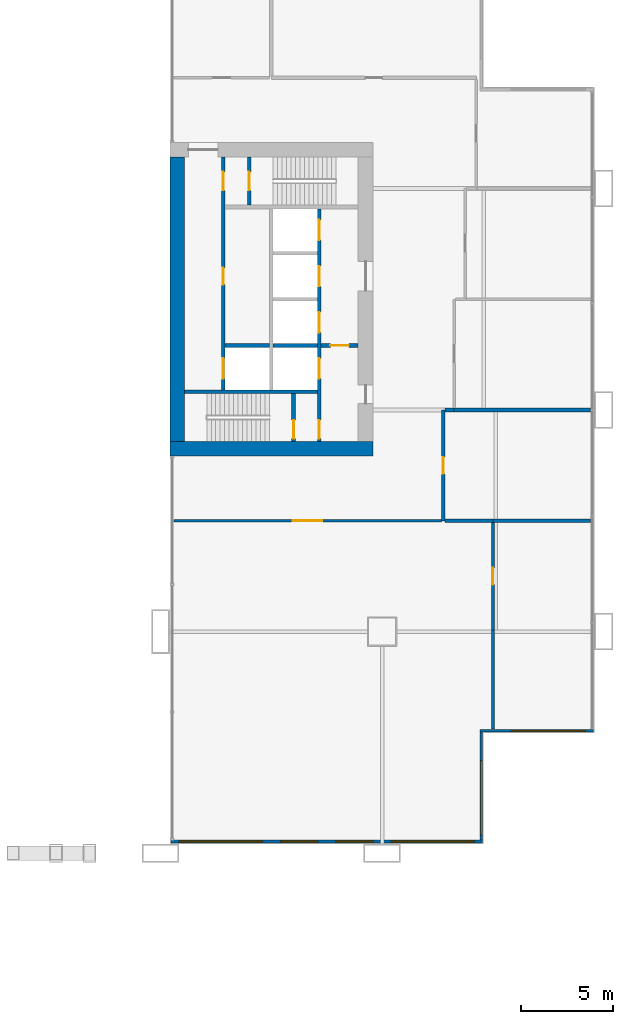
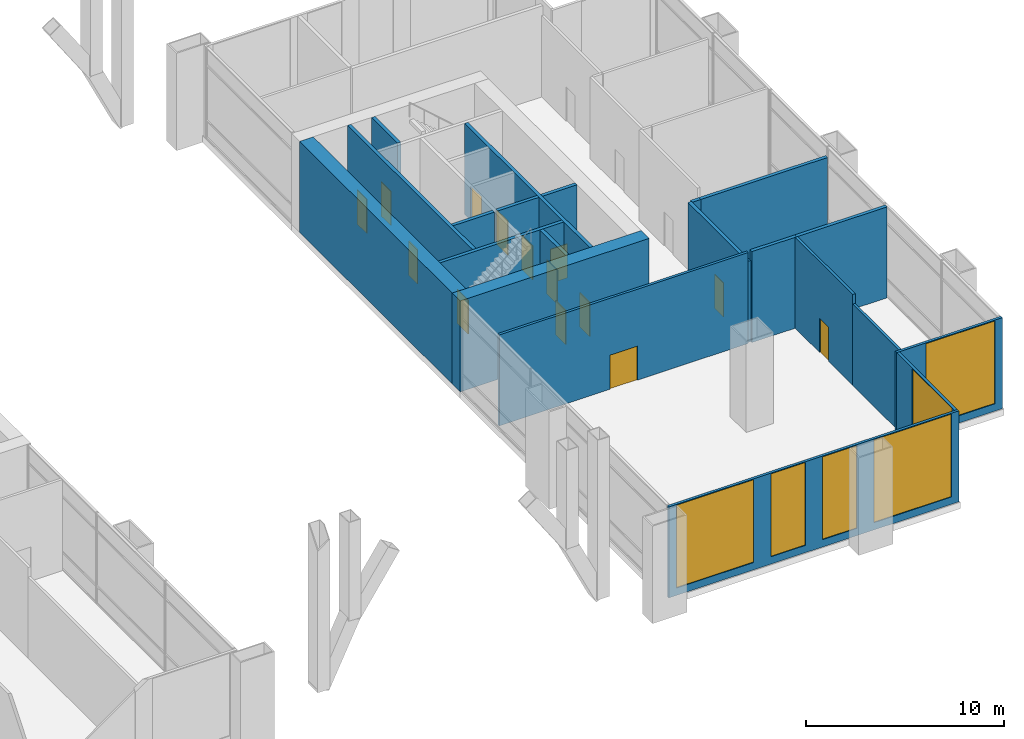
# One storey, part 19 of 25: 21 walls, 14 doors, 6 windows, 20 openings.
"""IFC4 building model written with IfcOpenShell, lengths in metres."""

from ifc_helpers import new_model, si_unit, direction, frame, frame_2d, origin, place, context, subcontext, project, spatial, rectangle, extrude, material, layer, layer_set, type_object, element, fill, save


model = new_model("IFC4")

# Units and contexts
model_context = context("Model", 3, precision=1e-05, world=origin(), true_north=direction((0.0, 1.0)))
body_context = subcontext(model_context, "Body", "Model", "MODEL_VIEW")
ifc_project = project(units=[si_unit("LENGTHUNIT", "METRE"), si_unit("AREAUNIT", "SQUARE_METRE"), si_unit("VOLUMEUNIT", "CUBIC_METRE"), si_unit("PLANEANGLEUNIT", "RADIAN"), si_unit("MASSUNIT", "GRAM", prefix="KILO")], contexts=[model_context])

# Site, building, storey
site_placement = place(None, origin())
site = spatial("IfcSite", under=ifc_project, at=site_placement, CompositionType="ELEMENT")
building_placement = place(site_placement, origin())
building = spatial("IfcBuilding", under=site, at=building_placement, Name="Kitamizu Gate Tower and Museum", CompositionType="ELEMENT")
storey_placement = place(building_placement, frame((0.0, 0.0, 12.0)))
storey = spatial("IfcBuildingStorey", under=building, at=storey_placement, Name="L02", CompositionType="ELEMENT", Elevation=12.0)

# Walls
ifc_material_1 = material(Name="Concrete Fc60", Category="concrete")
ifc_layer_1 = layer(ifc_material_1, 0.800048828125)
ifc_layer_set_1 = layer_set([ifc_layer_1], Name="Concrete Fc60")
wall_type_1 = type_object("IfcWallType", Name="Core wall 800", PredefinedType="SHEAR", material=ifc_layer_set_1)
wall_1_placement = place(storey_placement, frame((59.5, 21.89990234375, 0.0), z_axis=(0.0, 0.0, 1.0), x_axis=(-1.0, 0.0, 0.0)))
element("IfcWall", 1, at=wall_1_placement, inside=storey, type_object=wall_type_1, Name="Core wall ES", PredefinedType="SHEAR", context=body_context, shape_type="SweptSolid", body=[
    extrude(rectangle(XDim=11.0, YDim=0.800048828125, at=frame_2d((5.5, 0.0))), origin(), (0.0, 0.0, 1.0), 5.60009765625),
])
wall_2_placement = place(storey_placement, frame((48.89990234375, 22.300048828125, 0.0), z_axis=(0.0, 0.0, 1.0), x_axis=(0.0, 1.0, 0.0)))
element("IfcWall", 2, at=wall_2_placement, inside=storey, type_object=wall_type_1, Name="Core wall EARC", PredefinedType="SHEAR", context=body_context, shape_type="SweptSolid", body=[
    extrude(rectangle(XDim=15.39990234375, YDim=0.800048828125, at=frame_2d((7.699951171875, 0.0))), origin(), (0.0, 0.0, 1.0), 5.60009765625),
])

# Wall, opening, door
ifc_material_2 = material(Name="Gypsum board on galvanised stud")
ifc_layer_2 = layer(ifc_material_2, 0.14990234375)
ifc_layer_set_2 = layer_set([ifc_layer_2], Name="Gypsum board on galvanised stud")
wall_type_2 = type_object("IfcWallType", Name="Partition 150", PredefinedType="PARTITIONING", material=ifc_layer_set_2)
wall_3_placement = place(storey_placement, frame((48.719970703125, 18.0, 0.0), z_axis=(0.0, 0.0, 1.0), x_axis=(1.0, 0.0, 0.0)))
wall_3 = element("IfcWall", 3, at=wall_3_placement, inside=storey, type_object=wall_type_2, Name="Partition L02-013", PredefinedType="PARTITIONING", context=body_context, shape_type="SweptSolid", body=[
    extrude(rectangle(XDim=14.47998046875, YDim=0.14990234375, at=frame_2d((7.239990234375, 0.0))), origin(), (0.0, 0.0, 1.0), 5.60009765625),
])
opening_1_placement = place(wall_3_placement, frame((6.43994140625, 0.0, 0.0)))
opening_1 = element("IfcOpeningElement", 4, at=opening_1_placement, cuts=wall_3, Name="Opening L02-001", PredefinedType="OPENING", context=body_context, shape_type="SweptSolid", body=[
    extrude(rectangle(XDim=1.60009765625, YDim=2.10009765625, at=frame_2d((0.800048828125, 1.050048828125))), frame((0.0, 0.0849609375, 0.0), z_axis=(0.0, -1.0, 0.0), x_axis=(1.0, 0.0, 0.0)), (0.0, 0.0, 1.0), 0.169921875),
])
ifc_material_3 = material(Name="Timber door set", Category="wood")
door_type_1 = type_object("IfcDoorType", Name="Double door 1600", OperationType="DOUBLE_DOOR_SINGLE_SWING", PredefinedType="DOOR", material=ifc_material_3)
door_1_placement = place(opening_1_placement, origin())
door_1 = element("IfcDoor", 5, at=door_1_placement, inside=storey, type_object=door_type_1, Name="Double door L02-001", OperationType="DOUBLE_DOOR_SINGLE_SWING", OverallHeight=2.10009765625, OverallWidth=1.60009765625, PredefinedType="DOOR", context=body_context, shape_type="SweptSolid", body=[
    extrude(rectangle(XDim=1.60009765625, YDim=2.10009765625, at=frame_2d((0.800048828125, 1.050048828125))), frame((0.0, 0.02490234375, 0.0), z_axis=(0.0, -1.0, 0.0), x_axis=(1.0, 0.0, 0.0)), (0.0, 0.0, 1.0), 0.050048828125),
])
fill(opening_1, door_1)

# Wall
wall_4_placement = place(storey_placement, frame((66.0, 6.719970703125, 0.0), z_axis=(0.0, 0.0, 1.0), x_axis=(0.0, 1.0, 0.0)))
element("IfcWall", 6, at=wall_4_placement, inside=storey, type_object=wall_type_2, Name="Partition L02-023", PredefinedType="PARTITIONING", context=body_context, shape_type="SweptSolid", body=[
    extrude(rectangle(XDim=5.380126953125, YDim=0.14990234375, at=frame_2d((2.68994140625, 0.0))), origin(), (0.0, 0.0, 1.0), 5.0),
])

# Wall, opening, door
wall_5_placement = place(storey_placement, frame((66.0, 12.10009765625, 0.0), z_axis=(0.0, 0.0, 1.0), x_axis=(0.0, 1.0, 0.0)))
wall_5 = element("IfcWall", 7, at=wall_5_placement, inside=storey, type_object=wall_type_2, Name="Partition L02-024", PredefinedType="PARTITIONING", context=body_context, shape_type="SweptSolid", body=[
    extrude(rectangle(XDim=5.7998046875, YDim=0.14990234375, at=frame_2d((2.89990234375, 0.0))), origin(), (0.0, 0.0, 1.0), 5.60009765625),
])
opening_2_placement = place(wall_5_placement, frame((2.449951171875, 0.0, 0.0)))
opening_2 = element("IfcOpeningElement", 8, at=opening_2_placement, cuts=wall_5, Name="Opening L02-002", PredefinedType="OPENING", context=body_context, shape_type="SweptSolid", body=[
    extrude(rectangle(XDim=0.89990234375, YDim=2.10009765625, at=frame_2d((0.449951171875, 1.050048828125))), frame((0.0, 0.0849609375, 0.0), z_axis=(0.0, -1.0, 0.0), x_axis=(1.0, 0.0, 0.0)), (0.0, 0.0, 1.0), 0.169921875),
])
ifc_material_4 = material(Name="Timber door set", Category="wood")
door_type_2 = type_object("IfcDoorType", Name="Room door 900", OperationType="NOTDEFINED", PredefinedType="DOOR", material=ifc_material_4)
door_2_placement = place(opening_2_placement, frame((0.89990234375, 0.0, 0.0), x_axis=(-1.0, 0.0, 0.0)))
door_2 = element("IfcDoor", 9, at=door_2_placement, inside=storey, type_object=door_type_2, Name="Door L02-002", OperationType="SINGLE_SWING_LEFT", OverallHeight=2.10009765625, OverallWidth=0.89990234375, PredefinedType="DOOR", context=body_context, shape_type="SweptSolid", body=[
    extrude(rectangle(XDim=0.89990234375, YDim=2.10009765625, at=frame_2d((0.449951171875, 1.050048828125))), frame((0.0, 0.02490234375, 0.0), z_axis=(0.0, -1.0, 0.0), x_axis=(1.0, 0.0, 0.0)), (0.0, 0.0, 1.0), 0.050048828125),
])
fill(opening_2, door_2)

ifc_material_5 = material(Name="Gypsum board on galvanised stud")
ifc_layer_3 = layer(ifc_material_5, 0.199951171875)
ifc_layer_set_3 = layer_set([ifc_layer_3], Name="Gypsum board on galvanised stud")
wall_type_3 = type_object("IfcWallType", Name="Partition 200", PredefinedType="PARTITIONING", material=ifc_layer_set_3)
wall_6_placement = place(storey_placement, frame((63.300048828125, 18.0, 0.0), z_axis=(0.0, 0.0, 1.0), x_axis=(0.0, 1.0, 0.0)))
wall_6 = element("IfcWall", 10, at=wall_6_placement, inside=storey, type_object=wall_type_3, Name="Partition L02-014", PredefinedType="PARTITIONING", context=body_context, shape_type="SweptSolid", body=[
    extrude(rectangle(XDim=6.0, YDim=0.199951171875, at=frame_2d((3.0, 0.0))), origin(), (0.0, 0.0, 1.0), 5.0),
])
opening_3_placement = place(wall_6_placement, frame((2.550048828125, 0.0, 0.0)))
opening_3 = element("IfcOpeningElement", 11, at=opening_3_placement, cuts=wall_6, Name="Opening L02-003", PredefinedType="OPENING", context=body_context, shape_type="SweptSolid", body=[
    extrude(rectangle(XDim=0.89990234375, YDim=2.10009765625, at=frame_2d((0.449951171875, 1.050048828125))), frame((0.0, 0.10986328125, 0.0), z_axis=(0.0, -1.0, 0.0), x_axis=(1.0, 0.0, 0.0)), (0.0, 0.0, 1.0), 0.219970703125),
])
ifc_material_6 = material(Name="Timber door set", Category="wood")
door_type_3 = type_object("IfcDoorType", Name="Store door 900", OperationType="NOTDEFINED", PredefinedType="DOOR", material=ifc_material_6)
door_3_placement = place(opening_3_placement, frame((0.89990234375, 0.0, 0.0), x_axis=(-1.0, 0.0, 0.0)))
door_3 = element("IfcDoor", 12, at=door_3_placement, inside=storey, type_object=door_type_3, Name="Store door L02-003", OperationType="SINGLE_SWING_RIGHT", OverallHeight=2.10009765625, OverallWidth=0.89990234375, PredefinedType="DOOR", context=body_context, shape_type="SweptSolid", body=[
    extrude(rectangle(XDim=0.89990234375, YDim=2.10009765625, at=frame_2d((0.449951171875, 1.050048828125))), frame((0.0, 0.02490234375, 0.0), z_axis=(0.0, -1.0, 0.0), x_axis=(1.0, 0.0, 0.0)), (0.0, 0.0, 1.0), 0.050048828125),
])
fill(opening_3, door_3)

# Walls
wall_7_placement = place(storey_placement, frame((63.39990234375, 24.0, 0.0), z_axis=(0.0, 0.0, 1.0), x_axis=(1.0, 0.0, 0.0)))
element("IfcWall", 13, at=wall_7_placement, inside=storey, type_object=wall_type_3, Name="Partition L02-015", PredefinedType="PARTITIONING", context=body_context, shape_type="SweptSolid", body=[
    extrude(rectangle(XDim=0.5, YDim=0.199951171875, at=frame_2d((0.25, 0.0))), origin(), (0.0, 0.0, 1.0), 5.0),
])
wall_8_placement = place(storey_placement, frame((66.0, 18.0, 0.0), z_axis=(0.0, 0.0, 1.0), x_axis=(-1.0, 0.0, 0.0)))
element("IfcWall", 14, at=wall_8_placement, inside=storey, type_object=wall_type_3, Name="Partition L02-025", PredefinedType="PARTITIONING", context=body_context, shape_type="SweptSolid", body=[
    extrude(rectangle(XDim=2.60009765625, YDim=0.199951171875, at=frame_2d((1.300048828125, 0.0))), origin(), (0.0, 0.0, 1.0), 5.60009765625),
])
wall_9_placement = place(storey_placement, frame((71.280029296875, 18.0, 0.0), z_axis=(0.0, 0.0, 1.0), x_axis=(-1.0, 0.0, 0.0)))
element("IfcWall", 15, at=wall_9_placement, inside=storey, type_object=wall_type_3, Name="Partition L02-026", PredefinedType="PARTITIONING", context=body_context, shape_type="SweptSolid", body=[
    extrude(rectangle(XDim=5.280029296875, YDim=0.199951171875, at=frame_2d((2.64013671875, 0.0))), origin(), (0.0, 0.0, 1.0), 5.60009765625),
])
wall_10_placement = place(storey_placement, frame((71.280029296875, 24.0, 0.0), z_axis=(0.0, 0.0, 1.0), x_axis=(-1.0, 0.0, 0.0)))
element("IfcWall", 16, at=wall_10_placement, inside=storey, type_object=wall_type_3, Name="Partition L02-027", PredefinedType="PARTITIONING", context=body_context, shape_type="SweptSolid", body=[
    extrude(rectangle(XDim=7.380126953125, YDim=0.199951171875, at=frame_2d((3.68994140625, 0.0))), origin(), (0.0, 0.0, 1.0), 5.0),
])

# Wall, openings, doors
ifc_material_7 = material(Name="Concrete Fc42", Category="concrete")
ifc_layer_4 = layer(ifc_material_7, 0.199951171875)
ifc_layer_set_4 = layer_set([ifc_layer_4], Name="Concrete Fc42")
wall_type_4 = type_object("IfcWallType", Name="Shaft wall 200", PredefinedType="SOLIDWALL", material=ifc_layer_set_4)
wall_11_placement = place(storey_placement, frame((56.60009765625, 22.300048828125, 0.0), z_axis=(0.0, 0.0, 1.0), x_axis=(0.0, 1.0, 0.0)))
wall_11 = element("IfcWall", 17, at=wall_11_placement, inside=storey, type_object=wall_type_4, Name="Shaft wall EWEST", PredefinedType="SOLIDWALL", context=body_context, shape_type="SweptSolid", body=[
    extrude(rectangle(XDim=12.599853515625, YDim=0.199951171875, at=frame_2d((6.2998046875, 0.0))), origin(), (0.0, 0.0, 1.0), 5.60009765625),
])
opening_4_placement = place(wall_11_placement, frame((3.39990234375, 0.0, 0.0)))
opening_4 = element("IfcOpeningElement", 18, at=opening_4_placement, cuts=wall_11, Name="Opening LD", PredefinedType="OPENING", context=body_context, shape_type="SweptSolid", body=[
    extrude(rectangle(XDim=1.10009765625, YDim=2.10009765625, at=frame_2d((0.550048828125, 1.050048828125))), frame((0.0, 0.10986328125, 0.0), z_axis=(0.0, -1.0, 0.0), x_axis=(1.0, 0.0, 0.0)), (0.0, 0.0, 1.0), 0.219970703125),
])
opening_5_placement = place(wall_11_placement, frame((5.89990234375, 0.0, 0.0)))
opening_5 = element("IfcOpeningElement", 19, at=opening_5_placement, cuts=wall_11, Name="Opening LD", PredefinedType="OPENING", context=body_context, shape_type="SweptSolid", body=[
    extrude(rectangle(XDim=1.10009765625, YDim=2.10009765625, at=frame_2d((0.550048828125, 1.050048828125))), frame((0.0, 0.10986328125, 0.0), z_axis=(0.0, -1.0, 0.0), x_axis=(1.0, 0.0, 0.0)), (0.0, 0.0, 1.0), 0.219970703125),
])
opening_6_placement = place(wall_11_placement, frame((8.39990234375, 0.0, 0.0)))
opening_6 = element("IfcOpeningElement", 20, at=opening_6_placement, cuts=wall_11, Name="Opening LD", PredefinedType="OPENING", context=body_context, shape_type="SweptSolid", body=[
    extrude(rectangle(XDim=1.10009765625, YDim=2.10009765625, at=frame_2d((0.550048828125, 1.050048828125))), frame((0.0, 0.10986328125, 0.0), z_axis=(0.0, -1.0, 0.0), x_axis=(1.0, 0.0, 0.0)), (0.0, 0.0, 1.0), 0.219970703125),
])
opening_7_placement = place(wall_11_placement, frame((10.89990234375, 0.0, 0.0)))
opening_7 = element("IfcOpeningElement", 21, at=opening_7_placement, cuts=wall_11, Name="Opening LD", PredefinedType="OPENING", context=body_context, shape_type="SweptSolid", body=[
    extrude(rectangle(XDim=1.10009765625, YDim=2.10009765625, at=frame_2d((0.550048828125, 1.050048828125))), frame((0.0, 0.10986328125, 0.0), z_axis=(0.0, -1.0, 0.0), x_axis=(1.0, 0.0, 0.0)), (0.0, 0.0, 1.0), 0.219970703125),
])
opening_8_placement = place(wall_11_placement, frame((0.14990234375, 0.0, 0.0)))
opening_8 = element("IfcOpeningElement", 22, at=opening_8_placement, cuts=wall_11, Name="Opening L02-028", PredefinedType="OPENING", context=body_context, shape_type="SweptSolid", body=[
    extrude(rectangle(XDim=1.0, YDim=2.10009765625, at=frame_2d((0.5, 1.050048828125))), frame((0.0, 0.10986328125, 0.0), z_axis=(0.0, -1.0, 0.0), x_axis=(1.0, 0.0, 0.0)), (0.0, 0.0, 1.0), 0.219970703125),
])
ifc_material_8 = material(Name="Hollow metal door set")
door_type_4 = type_object("IfcDoorType", Name="Fire door 1000", OperationType="NOTDEFINED", PredefinedType="DOOR", material=ifc_material_8)
door_4_placement = place(opening_8_placement, origin())
door_4 = element("IfcDoor", 23, at=door_4_placement, inside=storey, type_object=door_type_4, Name="Stair lobby door L02-028", OperationType="SINGLE_SWING_RIGHT", OverallHeight=2.10009765625, OverallWidth=1.0, PredefinedType="DOOR", context=body_context, shape_type="SweptSolid", body=[
    extrude(rectangle(XDim=1.0, YDim=2.10009765625, at=frame_2d((0.5, 1.050048828125))), frame((0.0, 0.02490234375, 0.0), z_axis=(0.0, -1.0, 0.0), x_axis=(1.0, 0.0, 0.0)), (0.0, 0.0, 1.0), 0.050048828125),
])
fill(opening_8, door_4)
ifc_material_9 = material(Name="Hollow metal door set")
door_type_5 = type_object("IfcDoorType", Name="Landing door 1100", OperationType="SLIDING_TO_LEFT", PredefinedType="DOOR", material=ifc_material_9)
door_5_placement = place(opening_4_placement, origin())
door_5 = element("IfcDoor", 24, at=door_5_placement, inside=storey, type_object=door_type_5, Name="Landing door EFF1", OperationType="SLIDING_TO_LEFT", OverallHeight=2.10009765625, OverallWidth=1.10009765625, PredefinedType="DOOR", context=body_context, shape_type="SweptSolid", body=[
    extrude(rectangle(XDim=1.10009765625, YDim=2.10009765625, at=frame_2d((0.550048828125, 1.050048828125))), frame((0.0, 0.02490234375, 0.0), z_axis=(0.0, -1.0, 0.0), x_axis=(1.0, 0.0, 0.0)), (0.0, 0.0, 1.0), 0.050048828125),
])
fill(opening_4, door_5)
door_6_placement = place(opening_5_placement, origin())
door_6 = element("IfcDoor", 25, at=door_6_placement, inside=storey, type_object=door_type_5, Name="Landing door EL1", OperationType="SLIDING_TO_LEFT", OverallHeight=2.10009765625, OverallWidth=1.10009765625, PredefinedType="DOOR", context=body_context, shape_type="SweptSolid", body=[
    extrude(rectangle(XDim=1.10009765625, YDim=2.10009765625, at=frame_2d((0.550048828125, 1.050048828125))), frame((0.0, 0.02490234375, 0.0), z_axis=(0.0, -1.0, 0.0), x_axis=(1.0, 0.0, 0.0)), (0.0, 0.0, 1.0), 0.050048828125),
])
fill(opening_5, door_6)
door_7_placement = place(opening_6_placement, origin())
door_7 = element("IfcDoor", 26, at=door_7_placement, inside=storey, type_object=door_type_5, Name="Landing door EL2", OperationType="SLIDING_TO_LEFT", OverallHeight=2.10009765625, OverallWidth=1.10009765625, PredefinedType="DOOR", context=body_context, shape_type="SweptSolid", body=[
    extrude(rectangle(XDim=1.10009765625, YDim=2.10009765625, at=frame_2d((0.550048828125, 1.050048828125))), frame((0.0, 0.02490234375, 0.0), z_axis=(0.0, -1.0, 0.0), x_axis=(1.0, 0.0, 0.0)), (0.0, 0.0, 1.0), 0.050048828125),
])
fill(opening_6, door_7)
door_8_placement = place(opening_7_placement, origin())
door_8 = element("IfcDoor", 27, at=door_8_placement, inside=storey, type_object=door_type_5, Name="Landing door EL3", OperationType="SLIDING_TO_LEFT", OverallHeight=2.10009765625, OverallWidth=1.10009765625, PredefinedType="DOOR", context=body_context, shape_type="SweptSolid", body=[
    extrude(rectangle(XDim=1.10009765625, YDim=2.10009765625, at=frame_2d((0.550048828125, 1.050048828125))), frame((0.0, 0.02490234375, 0.0), z_axis=(0.0, -1.0, 0.0), x_axis=(1.0, 0.0, 0.0)), (0.0, 0.0, 1.0), 0.050048828125),
])
fill(opening_7, door_8)

wall_12_placement = place(storey_placement, frame((51.39990234375, 25.10009765625, 0.0), z_axis=(0.0, 0.0, 1.0), x_axis=(0.0, 1.0, 0.0)))
wall_12 = element("IfcWall", 28, at=wall_12_placement, inside=storey, type_object=wall_type_4, Name="Shaft wall EEAST", PredefinedType="SOLIDWALL", context=body_context, shape_type="SweptSolid", body=[
    extrude(rectangle(XDim=12.599853515625, YDim=0.199951171875, at=frame_2d((6.2998046875, 0.0))), origin(), (0.0, 0.0, 1.0), 5.60009765625),
])
opening_9_placement = place(wall_12_placement, frame((0.60009765625, 0.0, 0.0)))
opening_9 = element("IfcOpeningElement", 29, at=opening_9_placement, cuts=wall_12, Name="Opening LD", PredefinedType="OPENING", context=body_context, shape_type="SweptSolid", body=[
    extrude(rectangle(XDim=1.10009765625, YDim=2.10009765625, at=frame_2d((0.550048828125, 1.050048828125))), frame((0.0, 0.10986328125, 0.0), z_axis=(0.0, -1.0, 0.0), x_axis=(1.0, 0.0, 0.0)), (0.0, 0.0, 1.0), 0.219970703125),
])
opening_10_placement = place(wall_12_placement, frame((10.800048828125, 0.0, 0.0)))
opening_10 = element("IfcOpeningElement", 30, at=opening_10_placement, cuts=wall_12, Name="Opening L02-029", PredefinedType="OPENING", context=body_context, shape_type="SweptSolid", body=[
    extrude(rectangle(XDim=1.0, YDim=2.10009765625, at=frame_2d((0.5, 1.050048828125))), frame((0.0, 0.10986328125, 0.0), z_axis=(0.0, -1.0, 0.0), x_axis=(1.0, 0.0, 0.0)), (0.0, 0.0, 1.0), 0.219970703125),
])
opening_11_placement = place(wall_12_placement, frame((5.699951171875, 0.0, 0.0)))
opening_11 = element("IfcOpeningElement", 31, at=opening_11_placement, cuts=wall_12, Name="Opening L02-035", PredefinedType="OPENING", context=body_context, shape_type="SweptSolid", body=[
    extrude(rectangle(XDim=0.89990234375, YDim=2.10009765625, at=frame_2d((0.449951171875, 1.050048828125))), frame((0.0, 0.10986328125, 0.0), z_axis=(0.0, -1.0, 0.0), x_axis=(1.0, 0.0, 0.0)), (0.0, 0.0, 1.0), 0.219970703125),
])
door_9_placement = place(opening_10_placement, frame((1.0, 0.0, 0.0), x_axis=(-1.0, 0.0, 0.0)))
door_9 = element("IfcDoor", 32, at=door_9_placement, inside=storey, type_object=door_type_4, Name="Stair lobby door L02-029", OperationType="SINGLE_SWING_LEFT", OverallHeight=2.10009765625, OverallWidth=1.0, PredefinedType="DOOR", context=body_context, shape_type="SweptSolid", body=[
    extrude(rectangle(XDim=1.0, YDim=2.10009765625, at=frame_2d((0.5, 1.050048828125))), frame((0.0, 0.02490234375, 0.0), z_axis=(0.0, -1.0, 0.0), x_axis=(1.0, 0.0, 0.0)), (0.0, 0.0, 1.0), 0.050048828125),
])
fill(opening_10, door_9)
door_10_placement = place(opening_9_placement, origin())
door_10 = element("IfcDoor", 33, at=door_10_placement, inside=storey, type_object=door_type_5, Name="Landing door ESV1", OperationType="SLIDING_TO_LEFT", OverallHeight=2.10009765625, OverallWidth=1.10009765625, PredefinedType="DOOR", context=body_context, shape_type="SweptSolid", body=[
    extrude(rectangle(XDim=1.10009765625, YDim=2.10009765625, at=frame_2d((0.550048828125, 1.050048828125))), frame((0.0, 0.02490234375, 0.0), z_axis=(0.0, -1.0, 0.0), x_axis=(1.0, 0.0, 0.0)), (0.0, 0.0, 1.0), 0.050048828125),
])
fill(opening_9, door_10)
ifc_material_10 = material(Name="Timber door set", Category="wood")
door_type_6 = type_object("IfcDoorType", Name="Service door 900", OperationType="NOTDEFINED", PredefinedType="DOOR", material=ifc_material_10)
door_11_placement = place(opening_11_placement, frame((0.89990234375, 0.0, 0.0), x_axis=(-1.0, 0.0, 0.0)))
door_11 = element("IfcDoor", 34, at=door_11_placement, inside=storey, type_object=door_type_6, Name="Service door L02-035", OperationType="SINGLE_SWING_LEFT", OverallHeight=2.10009765625, OverallWidth=0.89990234375, PredefinedType="DOOR", context=body_context, shape_type="SweptSolid", body=[
    extrude(rectangle(XDim=0.89990234375, YDim=2.10009765625, at=frame_2d((0.449951171875, 1.050048828125))), frame((0.0, 0.02490234375, 0.0), z_axis=(0.0, -1.0, 0.0), x_axis=(1.0, 0.0, 0.0)), (0.0, 0.0, 1.0), 0.050048828125),
])
fill(opening_11, door_11)

# Wall
wall_13_placement = place(storey_placement, frame((56.5, 25.0, 0.0), z_axis=(0.0, 0.0, 1.0), x_axis=(-1.0, 0.0, 0.0)))
element("IfcWall", 35, at=wall_13_placement, inside=storey, type_object=wall_type_4, Name="Shaft wall ESB", PredefinedType="SOLIDWALL", context=body_context, shape_type="SweptSolid", body=[
    extrude(rectangle(XDim=7.199951171875, YDim=0.199951171875, at=frame_2d((3.60009765625, 0.0))), origin(), (0.0, 0.0, 1.0), 5.60009765625),
])

# Wall, opening, door
wall_14_placement = place(storey_placement, frame((58.699951171875, 27.5, 0.0), z_axis=(0.0, 0.0, 1.0), x_axis=(-1.0, 0.0, 0.0)))
wall_14 = element("IfcWall", 36, at=wall_14_placement, inside=storey, type_object=wall_type_4, Name="Shaft wall EFFN", PredefinedType="SOLIDWALL", context=body_context, shape_type="SweptSolid", body=[
    extrude(rectangle(XDim=2.0, YDim=0.199951171875, at=frame_2d((1.0, 0.0))), origin(), (0.0, 0.0, 1.0), 5.60009765625),
])
opening_12_placement = place(wall_14_placement, frame((0.5, 0.0, 0.0)))
opening_12 = element("IfcOpeningElement", 37, at=opening_12_placement, cuts=wall_14, Name="Opening L02-031", PredefinedType="OPENING", context=body_context, shape_type="SweptSolid", body=[
    extrude(rectangle(XDim=1.0, YDim=2.10009765625, at=frame_2d((0.5, 1.050048828125))), frame((0.0, 0.10986328125, 0.0), z_axis=(0.0, -1.0, 0.0), x_axis=(1.0, 0.0, 0.0)), (0.0, 0.0, 1.0), 0.219970703125),
])
door_12_placement = place(opening_12_placement, origin())
door_12 = element("IfcDoor", 38, at=door_12_placement, inside=storey, type_object=door_type_4, Name="Fire-fighting lobby door L02-031", OperationType="SINGLE_SWING_RIGHT", OverallHeight=2.10009765625, OverallWidth=1.0, PredefinedType="DOOR", context=body_context, shape_type="SweptSolid", body=[
    extrude(rectangle(XDim=1.0, YDim=2.10009765625, at=frame_2d((0.5, 1.050048828125))), frame((0.0, 0.02490234375, 0.0), z_axis=(0.0, -1.0, 0.0), x_axis=(1.0, 0.0, 0.0)), (0.0, 0.0, 1.0), 0.050048828125),
])
fill(opening_12, door_12)

wall_15_placement = place(storey_placement, frame((55.199951171875, 22.300048828125, 0.0), z_axis=(0.0, 0.0, 1.0), x_axis=(0.0, 1.0, 0.0)))
wall_15 = element("IfcWall", 39, at=wall_15_placement, inside=storey, type_object=wall_type_4, Name="Shaft wall ESZ", PredefinedType="SOLIDWALL", context=body_context, shape_type="SweptSolid", body=[
    extrude(rectangle(XDim=2.599853515625, YDim=0.199951171875, at=frame_2d((1.2998046875, 0.0))), origin(), (0.0, 0.0, 1.0), 5.60009765625),
])
opening_13_placement = place(wall_15_placement, frame((0.14990234375, 0.0, 0.0)))
opening_13 = element("IfcOpeningElement", 40, at=opening_13_placement, cuts=wall_15, Name="Opening L02-027", PredefinedType="OPENING", context=body_context, shape_type="SweptSolid", body=[
    extrude(rectangle(XDim=1.0, YDim=2.10009765625, at=frame_2d((0.5, 1.050048828125))), frame((0.0, 0.10986328125, 0.0), z_axis=(0.0, -1.0, 0.0), x_axis=(1.0, 0.0, 0.0)), (0.0, 0.0, 1.0), 0.219970703125),
])
door_13_placement = place(opening_13_placement, origin())
door_13 = element("IfcDoor", 41, at=door_13_placement, inside=storey, type_object=door_type_4, Name="Stair door L02-027", OperationType="SINGLE_SWING_RIGHT", OverallHeight=2.10009765625, OverallWidth=1.0, PredefinedType="DOOR", context=body_context, shape_type="SweptSolid", body=[
    extrude(rectangle(XDim=1.0, YDim=2.10009765625, at=frame_2d((0.5, 1.050048828125))), frame((0.0, 0.02490234375, 0.0), z_axis=(0.0, -1.0, 0.0), x_axis=(1.0, 0.0, 0.0)), (0.0, 0.0, 1.0), 0.050048828125),
])
fill(opening_13, door_13)

wall_16_placement = place(storey_placement, frame((52.800048828125, 35.10009765625, 0.0), z_axis=(0.0, 0.0, 1.0), x_axis=(0.0, 1.0, 0.0)))
wall_16 = element("IfcWall", 42, at=wall_16_placement, inside=storey, type_object=wall_type_4, Name="Shaft wall ENZ", PredefinedType="SOLIDWALL", context=body_context, shape_type="SweptSolid", body=[
    extrude(rectangle(XDim=2.599853515625, YDim=0.199951171875, at=frame_2d((1.2998046875, 0.0))), origin(), (0.0, 0.0, 1.0), 5.60009765625),
])
opening_14_placement = place(wall_16_placement, frame((0.800048828125, 0.0, 0.0)))
opening_14 = element("IfcOpeningElement", 43, at=opening_14_placement, cuts=wall_16, Name="Opening L02-030", PredefinedType="OPENING", context=body_context, shape_type="SweptSolid", body=[
    extrude(rectangle(XDim=1.0, YDim=2.10009765625, at=frame_2d((0.5, 1.050048828125))), frame((0.0, 0.10986328125, 0.0), z_axis=(0.0, -1.0, 0.0), x_axis=(1.0, 0.0, 0.0)), (0.0, 0.0, 1.0), 0.219970703125),
])
door_14_placement = place(opening_14_placement, frame((1.0, 0.0, 0.0), x_axis=(-1.0, 0.0, 0.0)))
door_14 = element("IfcDoor", 44, at=door_14_placement, inside=storey, type_object=door_type_4, Name="Stair door L02-030", OperationType="SINGLE_SWING_RIGHT", OverallHeight=2.10009765625, OverallWidth=1.0, PredefinedType="DOOR", context=body_context, shape_type="SweptSolid", body=[
    extrude(rectangle(XDim=1.0, YDim=2.10009765625, at=frame_2d((0.5, 1.050048828125))), frame((0.0, 0.02490234375, 0.0), z_axis=(0.0, -1.0, 0.0), x_axis=(1.0, 0.0, 0.0)), (0.0, 0.0, 1.0), 0.050048828125),
])
fill(opening_14, door_14)

# Walls
for number, where, z_axis, x_axis, name in (
    (45, (56.5, 27.5, 0.0), (0.0, 0.0, 1.0), (-1.0, 0.0, 0.0), "Shaft wall EDVW0"),
    (46, (53.89990234375, 27.5, 0.0), (0.0, 0.0, 1.0), (-1.0, 0.0, 0.0), "Shaft wall EDVE0"),
):
    element("IfcWall", number, at=place(storey_placement, frame(where, z_axis=z_axis, x_axis=x_axis)), inside=storey, type_object=wall_type_4, Name=name, PredefinedType="SOLIDWALL", context=body_context, shape_type="SweptSolid", body=[
        extrude(rectangle(XDim=2.39990234375, YDim=0.199951171875, at=frame_2d((1.199951171875, 0.0))), origin(), (0.0, 0.0, 1.0), 5.60009765625),
    ])

# Wall, openings, windows
ifc_material_11 = material(Name="Bronze anodised aluminium frame with insulated spandrel and tinted glass", Category="aluminium")
ifc_layer_5 = layer(ifc_material_11, 0.14990234375)
ifc_layer_set_5 = layer_set([ifc_layer_5], Name="Bronze anodised aluminium frame with insulated spandrel and tinted glass")
wall_type_5 = type_object("IfcWallType", Name="WINDOW WALL 150 BRONZE FRAME EI 60", PredefinedType="ELEMENTEDWALL", material=ifc_layer_set_5)
wall_17_placement = place(storey_placement, frame((48.56005859375, 0.635009765625, 0.0), z_axis=(0.0, 0.0, 1.0), x_axis=(1.0, 0.0, 0.0)))
wall_17 = element("IfcWall", 47, at=wall_17_placement, inside=storey, type_object=wall_type_5, Name="Window wall south L02", PredefinedType="ELEMENTEDWALL", context=body_context, shape_type="SweptSolid", body=[
    extrude(rectangle(XDim=16.8798828125, YDim=0.14990234375, at=frame_2d((8.43994140625, 0.0))), origin(), (0.0, 0.0, 1.0), 5.60009765625),
])
opening_15_placement = place(wall_17_placement, frame((0.43994140625, 0.0, 0.449951171875)))
opening_15 = element("IfcOpeningElement", 48, at=opening_15_placement, cuts=wall_17, Name="Opening W21", PredefinedType="OPENING", context=body_context, shape_type="SweptSolid", body=[
    extrude(rectangle(XDim=4.5, YDim=5.10009765625, at=frame_2d((2.25, 2.550048828125))), frame((0.0, 0.0849609375, 0.0), z_axis=(0.0, -1.0, 0.0), x_axis=(1.0, 0.0, 0.0)), (0.0, 0.0, 1.0), 0.169921875),
])
opening_16_placement = place(wall_17_placement, frame((5.93994140625, 0.0, 0.449951171875)))
opening_16 = element("IfcOpeningElement", 49, at=opening_16_placement, cuts=wall_17, Name="Opening W8", PredefinedType="OPENING", context=body_context, shape_type="SweptSolid", body=[
    extrude(rectangle(XDim=2.0, YDim=5.10009765625, at=frame_2d((1.0, 2.550048828125))), frame((0.0, 0.0849609375, 0.0), z_axis=(0.0, -1.0, 0.0), x_axis=(1.0, 0.0, 0.0)), (0.0, 0.0, 1.0), 0.169921875),
])
opening_17_placement = place(wall_17_placement, frame((8.93994140625, 0.0, 0.449951171875)))
opening_17 = element("IfcOpeningElement", 50, at=opening_17_placement, cuts=wall_17, Name="Opening W8", PredefinedType="OPENING", context=body_context, shape_type="SweptSolid", body=[
    extrude(rectangle(XDim=2.0, YDim=5.10009765625, at=frame_2d((1.0, 2.550048828125))), frame((0.0, 0.0849609375, 0.0), z_axis=(0.0, -1.0, 0.0), x_axis=(1.0, 0.0, 0.0)), (0.0, 0.0, 1.0), 0.169921875),
])
opening_18_placement = place(wall_17_placement, frame((11.93994140625, 0.0, 0.449951171875)))
opening_18 = element("IfcOpeningElement", 51, at=opening_18_placement, cuts=wall_17, Name="Opening W21", PredefinedType="OPENING", context=body_context, shape_type="SweptSolid", body=[
    extrude(rectangle(XDim=4.5, YDim=5.10009765625, at=frame_2d((2.25, 2.550048828125))), frame((0.0, 0.0849609375, 0.0), z_axis=(0.0, -1.0, 0.0), x_axis=(1.0, 0.0, 0.0)), (0.0, 0.0, 1.0), 0.169921875),
])
ifc_material_12 = material(Name="Bronze anodised aluminium frame, tinted triple glazing", Category="aluminium")
window_type_1 = type_object("IfcWindowType", Name="WINDOW 2000 x 5100 SILL 450", PartitioningType="SINGLE_PANEL", PredefinedType="WINDOW", material=ifc_material_12)
window_1_placement = place(opening_16_placement, origin())
window_1 = element("IfcWindow", 52, at=window_1_placement, inside=storey, type_object=window_type_1, Name="Window W8 L02", OverallHeight=5.10009765625, OverallWidth=2.0, PartitioningType="SINGLE_PANEL", PredefinedType="WINDOW", context=body_context, shape_type="SweptSolid", body=[
    extrude(rectangle(XDim=2.0, YDim=5.10009765625, at=frame_2d((1.0, 2.550048828125))), frame((0.0, 0.030029296875, 0.0), z_axis=(0.0, -1.0, 0.0), x_axis=(1.0, 0.0, 0.0)), (0.0, 0.0, 1.0), 0.06005859375),
])
fill(opening_16, window_1)
window_2_placement = place(opening_17_placement, origin())
window_2 = element("IfcWindow", 53, at=window_2_placement, inside=storey, type_object=window_type_1, Name="Window W8 L02", OverallHeight=5.10009765625, OverallWidth=2.0, PartitioningType="SINGLE_PANEL", PredefinedType="WINDOW", context=body_context, shape_type="SweptSolid", body=[
    extrude(rectangle(XDim=2.0, YDim=5.10009765625, at=frame_2d((1.0, 2.550048828125))), frame((0.0, 0.030029296875, 0.0), z_axis=(0.0, -1.0, 0.0), x_axis=(1.0, 0.0, 0.0)), (0.0, 0.0, 1.0), 0.06005859375),
])
fill(opening_17, window_2)
ifc_material_13 = material(Name="Bronze anodised aluminium frame, tinted triple glazing", Category="aluminium")
window_type_2 = type_object("IfcWindowType", Name="WINDOW 4500 x 5100 SILL 450", PartitioningType="SINGLE_PANEL", PredefinedType="WINDOW", material=ifc_material_13)
window_3_placement = place(opening_15_placement, origin())
window_3 = element("IfcWindow", 54, at=window_3_placement, inside=storey, type_object=window_type_2, Name="Window W21 L02", OverallHeight=5.10009765625, OverallWidth=4.5, PartitioningType="SINGLE_PANEL", PredefinedType="WINDOW", context=body_context, shape_type="SweptSolid", body=[
    extrude(rectangle(XDim=4.5, YDim=5.10009765625, at=frame_2d((2.25, 2.550048828125))), frame((0.0, 0.030029296875, 0.0), z_axis=(0.0, -1.0, 0.0), x_axis=(1.0, 0.0, 0.0)), (0.0, 0.0, 1.0), 0.06005859375),
])
fill(opening_15, window_3)
window_4_placement = place(opening_18_placement, origin())
window_4 = element("IfcWindow", 55, at=window_4_placement, inside=storey, type_object=window_type_2, Name="Window W21 L02", OverallHeight=5.10009765625, OverallWidth=4.5, PartitioningType="SINGLE_PANEL", PredefinedType="WINDOW", context=body_context, shape_type="SweptSolid", body=[
    extrude(rectangle(XDim=4.5, YDim=5.10009765625, at=frame_2d((2.25, 2.550048828125))), frame((0.0, 0.030029296875, 0.0), z_axis=(0.0, -1.0, 0.0), x_axis=(1.0, 0.0, 0.0)), (0.0, 0.0, 1.0), 0.06005859375),
])
fill(opening_18, window_4)

# Wall, opening, window
wall_18_placement = place(storey_placement, frame((65.364990234375, 0.7099609375, 0.0), z_axis=(0.0, 0.0, 1.0), x_axis=(0.0, 1.0, 0.0)))
wall_18 = element("IfcWall", 56, at=wall_18_placement, inside=storey, type_object=wall_type_5, Name="Window wall east L02", PredefinedType="ELEMENTEDWALL", context=body_context, shape_type="SweptSolid", body=[
    extrude(rectangle(XDim=5.85009765625, YDim=0.14990234375, at=frame_2d((2.925048828125, 0.0))), origin(), (0.0, 0.0, 1.0), 5.60009765625),
])
opening_19_placement = place(wall_18_placement, frame((0.2900390625, 0.0, 0.449951171875)))
opening_19 = element("IfcOpeningElement", 57, at=opening_19_placement, cuts=wall_18, Name="Opening W22", PredefinedType="OPENING", context=body_context, shape_type="SweptSolid", body=[
    extrude(rectangle(XDim=4.0, YDim=5.10009765625, at=frame_2d((2.0, 2.550048828125))), frame((0.0, 0.0849609375, 0.0), z_axis=(0.0, -1.0, 0.0), x_axis=(1.0, 0.0, 0.0)), (0.0, 0.0, 1.0), 0.169921875),
])
ifc_material_14 = material(Name="Bronze anodised aluminium frame, tinted triple glazing", Category="aluminium")
window_type_3 = type_object("IfcWindowType", Name="WINDOW 4000 x 5100 SILL 450", PartitioningType="SINGLE_PANEL", PredefinedType="WINDOW", material=ifc_material_14)
window_5_placement = place(opening_19_placement, origin())
window_5 = element("IfcWindow", 58, at=window_5_placement, inside=storey, type_object=window_type_3, Name="Window W22 L02", OverallHeight=5.10009765625, OverallWidth=4.0, PartitioningType="SINGLE_PANEL", PredefinedType="WINDOW", context=body_context, shape_type="SweptSolid", body=[
    extrude(rectangle(XDim=4.0, YDim=5.10009765625, at=frame_2d((2.0, 2.550048828125))), frame((0.0, 0.030029296875, 0.0), z_axis=(0.0, -1.0, 0.0), x_axis=(1.0, 0.0, 0.0)), (0.0, 0.0, 1.0), 0.06005859375),
])
fill(opening_19, window_5)

wall_19_placement = place(storey_placement, frame((65.2900390625, 6.635009765625, 0.0), z_axis=(0.0, 0.0, 1.0), x_axis=(1.0, 0.0, 0.0)))
wall_19 = element("IfcWall", 59, at=wall_19_placement, inside=storey, type_object=wall_type_5, Name="Window wall south L02", PredefinedType="ELEMENTEDWALL", context=body_context, shape_type="SweptSolid", body=[
    extrude(rectangle(XDim=6.14990234375, YDim=0.14990234375, at=frame_2d((3.074951171875, 0.0))), origin(), (0.0, 0.0, 1.0), 5.60009765625),
])
opening_20_placement = place(wall_19_placement, frame((1.7099609375, 0.0, 0.449951171875)))
opening_20 = element("IfcOpeningElement", 60, at=opening_20_placement, cuts=wall_19, Name="Opening W22", PredefinedType="OPENING", context=body_context, shape_type="SweptSolid", body=[
    extrude(rectangle(XDim=4.0, YDim=5.10009765625, at=frame_2d((2.0, 2.550048828125))), frame((0.0, 0.0849609375, 0.0), z_axis=(0.0, -1.0, 0.0), x_axis=(1.0, 0.0, 0.0)), (0.0, 0.0, 1.0), 0.169921875),
])
window_6_placement = place(opening_20_placement, origin())
window_6 = element("IfcWindow", 61, at=window_6_placement, inside=storey, type_object=window_type_3, Name="Window W22 L02", OverallHeight=5.10009765625, OverallWidth=4.0, PartitioningType="SINGLE_PANEL", PredefinedType="WINDOW", context=body_context, shape_type="SweptSolid", body=[
    extrude(rectangle(XDim=4.0, YDim=5.10009765625, at=frame_2d((2.0, 2.550048828125))), frame((0.0, 0.030029296875, 0.0), z_axis=(0.0, -1.0, 0.0), x_axis=(1.0, 0.0, 0.0)), (0.0, 0.0, 1.0), 0.06005859375),
])
fill(opening_20, window_6)

save(model, "model.ifc")
